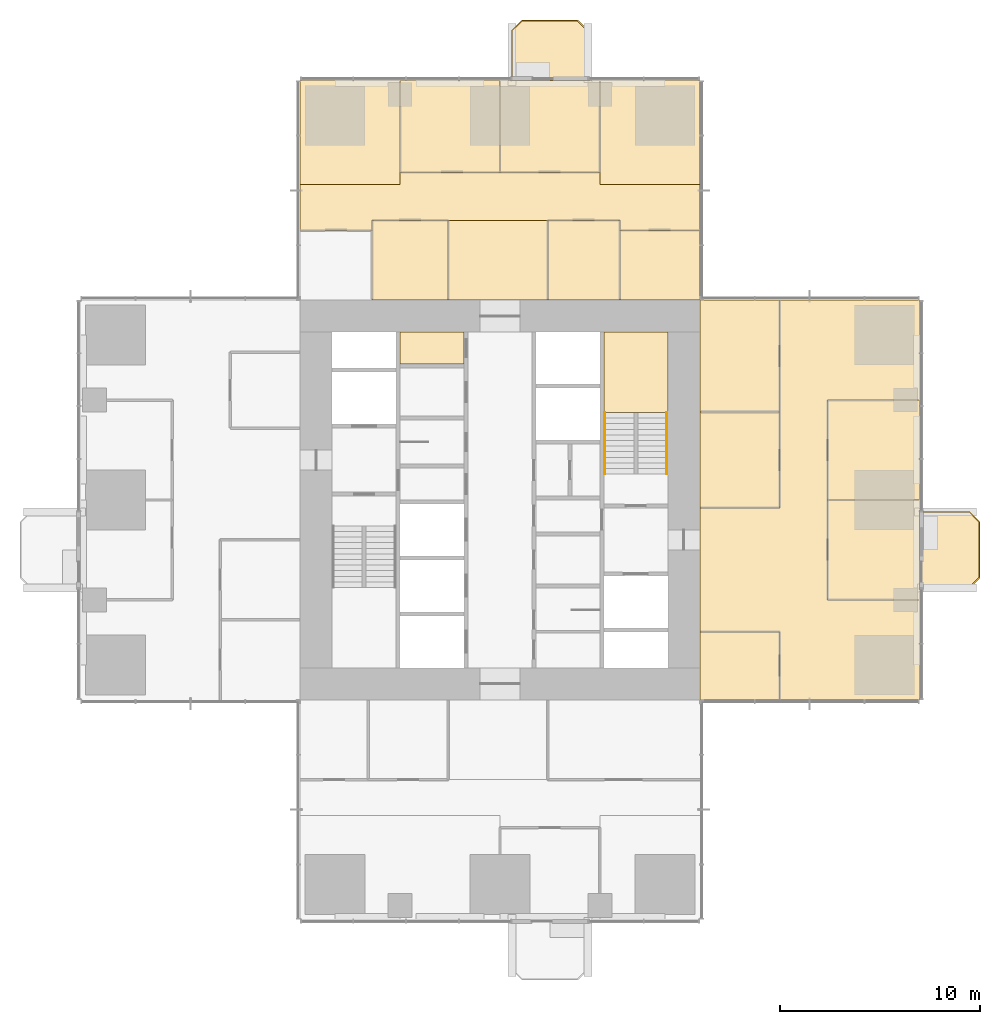
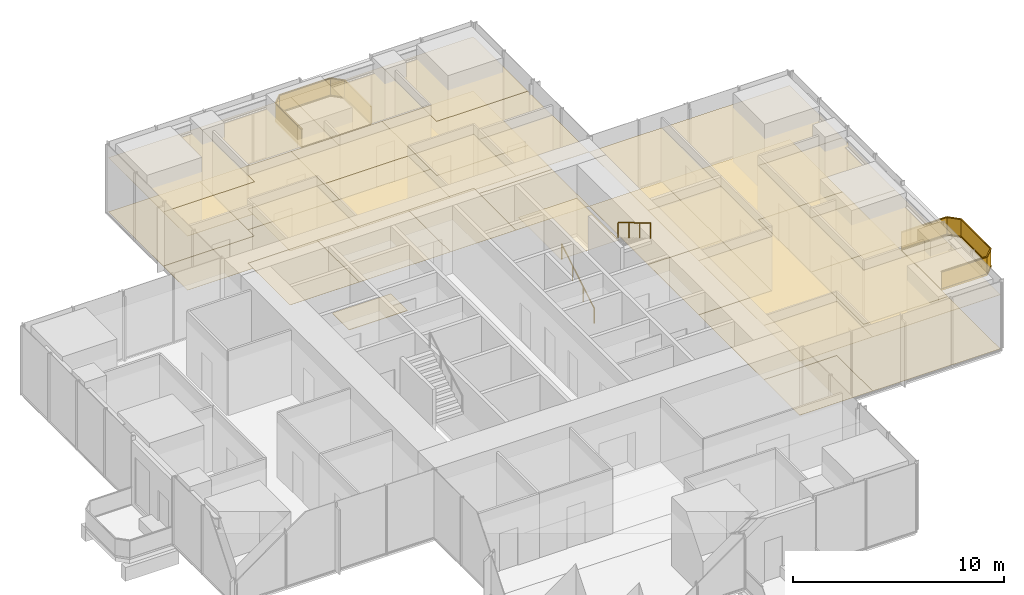
# One storey, part 13 of 14: 34 coverings, 4 railings.
"""IFC4 building model written with IfcOpenShell, lengths in metres."""

from ifc_helpers import new_model, si_unit, direction, frame, origin, origin_2d, place, context, subcontext, project, spatial, polyline, rectangle, circle, outline, extrude, material, layer, layer_set, type_object, element, save


model = new_model("IFC4")

# Units and contexts
model_context = context("Model", 3, precision=1e-05, world=origin(), true_north=direction((0.0, 1.0)))
body_context = subcontext(model_context, "Body", "Model", "MODEL_VIEW")
ifc_project = project(units=[si_unit("LENGTHUNIT", "METRE"), si_unit("AREAUNIT", "SQUARE_METRE"), si_unit("VOLUMEUNIT", "CUBIC_METRE"), si_unit("PLANEANGLEUNIT", "RADIAN"), si_unit("MASSUNIT", "GRAM", prefix="KILO")], contexts=[model_context])

# Site, building, storey
site_placement = place(None, origin())
site = spatial("IfcSite", under=ifc_project, at=site_placement, CompositionType="ELEMENT")
building_placement = place(site_placement, origin())
building = spatial("IfcBuilding", under=site, at=building_placement, Name="Svetlomir Tower", CompositionType="ELEMENT")
storey_placement = place(building_placement, frame((0.0, 0.0, 112.5)))
storey = spatial("IfcBuildingStorey", under=building, at=storey_placement, Name="L26", CompositionType="ELEMENT", Elevation=112.5)

# Railings
ifc_material_1 = material(Name="Bronze anodised aluminium and laminated glass", Category="aluminium")
railing_type_1 = type_object("IfcRailingType", Name="BALCONY GUARD GR1 1100", PredefinedType="GUARDRAIL", material=ifc_material_1)
railing_1_placement = place(storey_placement, frame((42.0, 16.60009765625, 0.0)))
element("IfcRailing", 1, at=railing_1_placement, inside=storey, type_object=railing_type_1, Name="Balcony guard E L26", PredefinedType="GUARDRAIL", context=body_context, shape_type="SweptSolid", body=[
    extrude(rectangle(XDim=0.06005859375, YDim=0.10009765625, at=origin_2d()), frame((0.0, 0.0, 0.050048828125), z_axis=(1.0, 0.0, 0.0), x_axis=(0.0, 1.0, 0.0)), (0.0, 0.0, 1.0), 2.5),
    extrude(rectangle(XDim=0.021484375, YDim=0.960205078125, at=origin_2d()), frame((0.0, 0.0, 0.580078125), z_axis=(1.0, 0.0, 0.0), x_axis=(0.0, 1.0, 0.0)), (0.0, 0.0, 1.0), 2.5),
    extrude(rectangle(XDim=0.06005859375, YDim=0.0400390625, at=origin_2d()), frame((0.0, 0.0, 1.080078125), z_axis=(1.0, 0.0, 0.0), x_axis=(0.0, 1.0, 0.0)), (0.0, 0.0, 1.0), 2.5),
    extrude(rectangle(XDim=0.06005859375, YDim=0.10009765625, at=origin_2d()), frame((2.5, 0.0, 0.050048828125), z_axis=(0.707106781187, 0.707106781187, 0.0), x_axis=(-0.707106781187, 0.707106781187, 0.0)), (0.0, 0.0, 1.0), 0.70703125),
    extrude(rectangle(XDim=0.021484375, YDim=0.960205078125, at=origin_2d()), frame((2.5, 0.0, 0.580078125), z_axis=(0.707106781187, 0.707106781187, 0.0), x_axis=(-0.707106781187, 0.707106781187, 0.0)), (0.0, 0.0, 1.0), 0.70703125),
    extrude(rectangle(XDim=0.06005859375, YDim=0.0400390625, at=origin_2d()), frame((2.5, 0.0, 1.080078125), z_axis=(0.707106781187, 0.707106781187, 0.0), x_axis=(-0.707106781187, 0.707106781187, 0.0)), (0.0, 0.0, 1.0), 0.70703125),
    extrude(rectangle(XDim=0.06005859375, YDim=0.10009765625, at=origin_2d()), frame((3.0, 0.5, 0.050048828125), z_axis=(0.0, 1.0, 0.0), x_axis=(-1.0, 0.0, 0.0)), (0.0, 0.0, 1.0), 2.7998046875),
    extrude(rectangle(XDim=0.021484375, YDim=0.960205078125, at=origin_2d()), frame((3.0, 0.5, 0.580078125), z_axis=(0.0, 1.0, 0.0), x_axis=(-1.0, 0.0, 0.0)), (0.0, 0.0, 1.0), 2.7998046875),
    extrude(rectangle(XDim=0.06005859375, YDim=0.0400390625, at=origin_2d()), frame((3.0, 0.5, 1.080078125), z_axis=(0.0, 1.0, 0.0), x_axis=(-1.0, 0.0, 0.0)), (0.0, 0.0, 1.0), 2.7998046875),
    extrude(rectangle(XDim=0.06005859375, YDim=0.10009765625, at=origin_2d()), frame((3.0, 3.2998046875, 0.050048828125), z_axis=(-0.707106781187, 0.707106781187, 0.0), x_axis=(-0.707106781187, -0.707106781187, 0.0)), (0.0, 0.0, 1.0), 0.70703125),
    extrude(rectangle(XDim=0.021484375, YDim=0.960205078125, at=origin_2d()), frame((3.0, 3.2998046875, 0.580078125), z_axis=(-0.707106781187, 0.707106781187, 0.0), x_axis=(-0.707106781187, -0.707106781187, 0.0)), (0.0, 0.0, 1.0), 0.70703125),
    extrude(rectangle(XDim=0.06005859375, YDim=0.0400390625, at=origin_2d()), frame((3.0, 3.2998046875, 1.080078125), z_axis=(-0.707106781187, 0.707106781187, 0.0), x_axis=(-0.707106781187, -0.707106781187, 0.0)), (0.0, 0.0, 1.0), 0.70703125),
    extrude(rectangle(XDim=0.06005859375, YDim=0.10009765625, at=origin_2d()), frame((2.5, 3.7998046875, 0.050048828125), z_axis=(-1.0, 0.0, 0.0), x_axis=(0.0, -1.0, 0.0)), (0.0, 0.0, 1.0), 2.5),
    extrude(rectangle(XDim=0.021484375, YDim=0.960205078125, at=origin_2d()), frame((2.5, 3.7998046875, 0.580078125), z_axis=(-1.0, 0.0, 0.0), x_axis=(0.0, -1.0, 0.0)), (0.0, 0.0, 1.0), 2.5),
    extrude(rectangle(XDim=0.06005859375, YDim=0.0400390625, at=origin_2d()), frame((2.5, 3.7998046875, 1.080078125), z_axis=(-1.0, 0.0, 0.0), x_axis=(0.0, -1.0, 0.0)), (0.0, 0.0, 1.0), 2.5),
])
railing_2_placement = place(storey_placement, frame((25.39990234375, 42.0, 0.0)))
element("IfcRailing", 2, at=railing_2_placement, inside=storey, type_object=railing_type_1, Name="Balcony guard N L26", PredefinedType="GUARDRAIL", context=body_context, shape_type="SweptSolid", body=[
    extrude(rectangle(XDim=0.06005859375, YDim=0.10009765625, at=origin_2d()), frame((0.0, 0.0, 0.050048828125), z_axis=(0.0, 1.0, 0.0), x_axis=(-1.0, 0.0, 0.0)), (0.0, 0.0, 1.0), 2.5),
    extrude(rectangle(XDim=0.021484375, YDim=0.960205078125, at=origin_2d()), frame((0.0, 0.0, 0.580078125), z_axis=(0.0, 1.0, 0.0), x_axis=(-1.0, 0.0, 0.0)), (0.0, 0.0, 1.0), 2.5),
    extrude(rectangle(XDim=0.06005859375, YDim=0.0400390625, at=origin_2d()), frame((0.0, 0.0, 1.080078125), z_axis=(0.0, 1.0, 0.0), x_axis=(-1.0, 0.0, 0.0)), (0.0, 0.0, 1.0), 2.5),
    extrude(rectangle(XDim=0.06005859375, YDim=0.10009765625, at=origin_2d()), frame((0.0, 2.5, 0.050048828125), z_axis=(-0.707106781187, 0.707106781187, 0.0), x_axis=(-0.707106781187, -0.707106781187, 0.0)), (0.0, 0.0, 1.0), 0.70703125),
    extrude(rectangle(XDim=0.021484375, YDim=0.960205078125, at=origin_2d()), frame((0.0, 2.5, 0.580078125), z_axis=(-0.707106781187, 0.707106781187, 0.0), x_axis=(-0.707106781187, -0.707106781187, 0.0)), (0.0, 0.0, 1.0), 0.70703125),
    extrude(rectangle(XDim=0.06005859375, YDim=0.0400390625, at=origin_2d()), frame((0.0, 2.5, 1.080078125), z_axis=(-0.707106781187, 0.707106781187, 0.0), x_axis=(-0.707106781187, -0.707106781187, 0.0)), (0.0, 0.0, 1.0), 0.70703125),
    extrude(rectangle(XDim=0.06005859375, YDim=0.10009765625, at=origin_2d()), frame((-0.5, 3.0, 0.050048828125), z_axis=(-1.0, 0.0, 0.0), x_axis=(0.0, -1.0, 0.0)), (0.0, 0.0, 1.0), 2.7998046875),
    extrude(rectangle(XDim=0.021484375, YDim=0.960205078125, at=origin_2d()), frame((-0.5, 3.0, 0.580078125), z_axis=(-1.0, 0.0, 0.0), x_axis=(0.0, -1.0, 0.0)), (0.0, 0.0, 1.0), 2.7998046875),
    extrude(rectangle(XDim=0.06005859375, YDim=0.0400390625, at=origin_2d()), frame((-0.5, 3.0, 1.080078125), z_axis=(-1.0, 0.0, 0.0), x_axis=(0.0, -1.0, 0.0)), (0.0, 0.0, 1.0), 2.7998046875),
    extrude(rectangle(XDim=0.06005859375, YDim=0.10009765625, at=origin_2d()), frame((-3.2998046875, 3.0, 0.050048828125), z_axis=(-0.707106781187, -0.707106781187, 0.0), x_axis=(0.707106781187, -0.707106781187, 0.0)), (0.0, 0.0, 1.0), 0.70703125),
    extrude(rectangle(XDim=0.021484375, YDim=0.960205078125, at=origin_2d()), frame((-3.2998046875, 3.0, 0.580078125), z_axis=(-0.707106781187, -0.707106781187, 0.0), x_axis=(0.707106781187, -0.707106781187, 0.0)), (0.0, 0.0, 1.0), 0.70703125),
    extrude(rectangle(XDim=0.06005859375, YDim=0.0400390625, at=origin_2d()), frame((-3.2998046875, 3.0, 1.080078125), z_axis=(-0.707106781187, -0.707106781187, 0.0), x_axis=(0.707106781187, -0.707106781187, 0.0)), (0.0, 0.0, 1.0), 0.70703125),
    extrude(rectangle(XDim=0.06005859375, YDim=0.10009765625, at=origin_2d()), frame((-3.7998046875, 2.5, 0.050048828125), z_axis=(0.0, -1.0, 0.0), x_axis=(1.0, 0.0, 0.0)), (0.0, 0.0, 1.0), 2.5),
    extrude(rectangle(XDim=0.021484375, YDim=0.960205078125, at=origin_2d()), frame((-3.7998046875, 2.5, 0.580078125), z_axis=(0.0, -1.0, 0.0), x_axis=(1.0, 0.0, 0.0)), (0.0, 0.0, 1.0), 2.5),
    extrude(rectangle(XDim=0.06005859375, YDim=0.0400390625, at=origin_2d()), frame((-3.7998046875, 2.5, 1.080078125), z_axis=(0.0, -1.0, 0.0), x_axis=(1.0, 0.0, 0.0)), (0.0, 0.0, 1.0), 2.5),
])

# Coverings
ifc_material_2 = material(Name="Granite paving slabs on pedestals", Category="masonry")
ifc_layer_1 = layer(ifc_material_2, 0.0400390625)
ifc_layer_set_1 = layer_set([ifc_layer_1], Name="Granite paving slabs on pedestals")
covering_type_1 = type_object("IfcCoveringType", Name="BALCONY PAVING 40", PredefinedType="USERDEFINED", material=ifc_layer_set_1)
covering_1_placement = place(storey_placement, origin())
element("IfcCovering", 3, at=covering_1_placement, inside=storey, type_object=covering_type_1, Name="Balcony paving E L26", ObjectType="BALCONY PAVING", PredefinedType="USERDEFINED", context=body_context, shape_type="SweptSolid", body=[
    extrude(outline(polyline([(42.0, 16.60009765625), (44.5, 16.60009765625), (45.0, 17.10009765625), (45.0, 19.89990234375), (44.5, 20.39990234375), (42.0, 20.39990234375), (42.0, 16.60009765625)])), origin(), (0.0, 0.0, 1.0), 0.0400390625),
])
covering_2_placement = place(storey_placement, origin())
element("IfcCovering", 4, at=covering_2_placement, inside=storey, type_object=covering_type_1, Name="Balcony paving N L26", ObjectType="BALCONY PAVING", PredefinedType="USERDEFINED", context=body_context, shape_type="SweptSolid", body=[
    extrude(outline(polyline([(21.60009765625, 42.0), (25.39990234375, 42.0), (25.39990234375, 44.5), (24.89990234375, 45.0), (22.10009765625, 45.0), (21.60009765625, 44.5), (21.60009765625, 42.0)])), origin(), (0.0, 0.0, 1.0), 0.0400390625),
])
ifc_material_3 = material(Name="Carpet tile", Category="textile")
ifc_layer_2 = layer(ifc_material_3, 0.010009765625)
ifc_layer_set_2 = layer_set([ifc_layer_2], Name="Carpet tile")
covering_type_2 = type_object("IfcCoveringType", Name="CARPET TILE FLOOR 10", PredefinedType="FLOORING", material=ifc_layer_set_2)
covering_3_placement = place(storey_placement, origin())
element("IfcCovering", 5, at=covering_3_placement, inside=storey, type_object=covering_type_2, Name="Floor finish L26-20", PredefinedType="FLOORING", context=body_context, shape_type="SweptSolid", body=[
    extrude(outline(polyline([(31.0, 11.0), (35.0, 11.0), (35.0, 14.39990234375), (31.0, 14.39990234375), (31.0, 11.0)])), origin(), (0.0, 0.0, 1.0), 0.010009765625),
])
covering_4_placement = place(storey_placement, origin())
element("IfcCovering", 6, at=covering_4_placement, inside=storey, type_object=covering_type_2, Name="Floor finish L26-21", PredefinedType="FLOORING", context=body_context, shape_type="SweptSolid", body=[
    extrude(outline(polyline([(31.0, 20.60009765625), (35.0, 20.60009765625), (35.0, 25.39990234375), (31.0, 25.39990234375), (31.0, 20.60009765625)])), origin(), (0.0, 0.0, 1.0), 0.010009765625),
])
covering_5_placement = place(storey_placement, origin())
element("IfcCovering", 7, at=covering_5_placement, inside=storey, type_object=covering_type_2, Name="Floor finish L26-22", PredefinedType="FLOORING", context=body_context, shape_type="SweptSolid", body=[
    extrude(outline(polyline([(31.0, 25.39990234375), (35.0, 25.39990234375), (35.0, 31.0), (31.0, 31.0), (31.0, 25.39990234375)])), origin(), (0.0, 0.0, 1.0), 0.010009765625),
])
covering_6_placement = place(storey_placement, origin())
element("IfcCovering", 8, at=covering_6_placement, inside=storey, type_object=covering_type_2, Name="Floor finish L26-23", PredefinedType="FLOORING", context=body_context, shape_type="SweptSolid", body=[
    extrude(outline(polyline([(37.39990234375, 16.0), (42.0, 16.0), (42.0, 21.0), (37.39990234375, 21.0), (37.39990234375, 16.0)])), origin(), (0.0, 0.0, 1.0), 0.010009765625),
])
covering_7_placement = place(storey_placement, origin())
element("IfcCovering", 9, at=covering_7_placement, inside=storey, type_object=covering_type_2, Name="Floor finish L26-24", PredefinedType="FLOORING", context=body_context, shape_type="SweptSolid", body=[
    extrude(outline(polyline([(37.39990234375, 21.0), (42.0, 21.0), (42.0, 26.0), (37.39990234375, 26.0), (37.39990234375, 21.0)])), origin(), (0.0, 0.0, 1.0), 0.010009765625),
])
covering_8_placement = place(storey_placement, origin())
element("IfcCovering", 10, at=covering_8_placement, inside=storey, type_object=covering_type_2, Name="Floor finish L26-26", PredefinedType="FLOORING", context=body_context, shape_type="SweptSolid", body=[
    extrude(outline(polyline([(14.60009765625, 31.0), (18.39990234375, 31.0), (18.39990234375, 35.0), (14.60009765625, 35.0), (14.60009765625, 31.0)])), origin(), (0.0, 0.0, 1.0), 0.010009765625),
])
covering_9_placement = place(storey_placement, origin())
element("IfcCovering", 11, at=covering_9_placement, inside=storey, type_object=covering_type_2, Name="Floor finish L26-27", PredefinedType="FLOORING", context=body_context, shape_type="SweptSolid", body=[
    extrude(outline(polyline([(23.39990234375, 31.0), (27.0, 31.0), (27.0, 35.0), (23.39990234375, 35.0), (23.39990234375, 31.0)])), origin(), (0.0, 0.0, 1.0), 0.010009765625),
])
covering_10_placement = place(storey_placement, origin())
element("IfcCovering", 12, at=covering_10_placement, inside=storey, type_object=covering_type_2, Name="Floor finish L26-28", PredefinedType="FLOORING", context=body_context, shape_type="SweptSolid", body=[
    extrude(outline(polyline([(27.0, 31.0), (31.0, 31.0), (31.0, 34.5), (27.0, 34.5), (27.0, 31.0)])), origin(), (0.0, 0.0, 1.0), 0.010009765625),
])
covering_11_placement = place(storey_placement, origin())
element("IfcCovering", 13, at=covering_11_placement, inside=storey, type_object=covering_type_2, Name="Floor finish L26-29", PredefinedType="FLOORING", context=body_context, shape_type="SweptSolid", body=[
    extrude(outline(polyline([(16.0, 37.39990234375), (21.0, 37.39990234375), (21.0, 42.0), (16.0, 42.0), (16.0, 37.39990234375)])), origin(), (0.0, 0.0, 1.0), 0.010009765625),
])
covering_12_placement = place(storey_placement, origin())
element("IfcCovering", 14, at=covering_12_placement, inside=storey, type_object=covering_type_2, Name="Floor finish L26-30", PredefinedType="FLOORING", context=body_context, shape_type="SweptSolid", body=[
    extrude(outline(polyline([(21.0, 37.39990234375), (26.0, 37.39990234375), (26.0, 42.0), (21.0, 42.0), (21.0, 37.39990234375)])), origin(), (0.0, 0.0, 1.0), 0.010009765625),
])
covering_13_placement = place(storey_placement, origin())
element("IfcCovering", 15, at=covering_13_placement, inside=storey, type_object=covering_type_2, Name="Floor finish L26-37", PredefinedType="FLOORING", context=body_context, shape_type="SweptSolid", body=[
    extrude(outline(polyline([(14.60009765625, 34.5), (11.0, 34.5), (11.0, 36.800048828125), (16.0, 36.800048828125), (16.0, 37.39990234375), (26.0, 37.39990234375), (26.0, 36.800048828125), (31.0, 36.800048828125), (31.0, 34.5), (27.0, 34.5), (27.0, 35.0), (14.60009765625, 35.0), (14.60009765625, 34.5)])), origin(), (0.0, 0.0, 1.0), 0.010009765625),
])
covering_14_placement = place(storey_placement, origin())
element("IfcCovering", 16, at=covering_14_placement, inside=storey, type_object=covering_type_2, Name="Floor finish L26-41", PredefinedType="FLOORING", context=body_context, shape_type="SweptSolid", body=[
    extrude(outline(polyline([(35.0, 14.39990234375), (31.0, 14.39990234375), (31.0, 20.60009765625), (35.0, 20.60009765625), (35.0, 31.0), (42.0, 31.0), (42.0, 26.0), (37.39990234375, 26.0), (37.39990234375, 16.0), (42.0, 16.0), (42.0, 11.0), (35.0, 11.0), (35.0, 14.39990234375)])), origin(), (0.0, 0.0, 1.0), 0.010009765625),
])
covering_15_placement = place(storey_placement, origin())
element("IfcCovering", 17, at=covering_15_placement, inside=storey, type_object=covering_type_2, Name="Floor finish L26-42", PredefinedType="FLOORING", context=body_context, shape_type="SweptSolid", body=[
    extrude(outline(polyline([(26.0, 36.800048828125), (26.0, 42.0), (31.0, 42.0), (31.0, 36.800048828125), (26.0, 36.800048828125)])), origin(), (0.0, 0.0, 1.0), 0.010009765625),
])
covering_16_placement = place(storey_placement, origin())
element("IfcCovering", 18, at=covering_16_placement, inside=storey, type_object=covering_type_2, Name="Floor finish L26-43", PredefinedType="FLOORING", context=body_context, shape_type="SweptSolid", body=[
    extrude(outline(polyline([(18.39990234375, 31.0), (18.39990234375, 35.0), (23.39990234375, 35.0), (23.39990234375, 31.0), (18.39990234375, 31.0)])), origin(), (0.0, 0.0, 1.0), 0.010009765625),
])
covering_17_placement = place(storey_placement, origin())
element("IfcCovering", 19, at=covering_17_placement, inside=storey, type_object=covering_type_2, Name="Floor finish L26-44", PredefinedType="FLOORING", context=body_context, shape_type="SweptSolid", body=[
    extrude(outline(polyline([(16.0, 42.0), (16.0, 36.800048828125), (11.0, 36.800048828125), (11.0, 42.0), (16.0, 42.0)])), origin(), (0.0, 0.0, 1.0), 0.010009765625),
])

# Railings
ifc_material_4 = material(Name="Stainless steel", Category="steel")
railing_type_2 = type_object("IfcRailingType", Name="HANDRAIL HR1 900", PredefinedType="HANDRAIL", material=ifc_material_4)
railing_3_placement = place(storey_placement, frame((26.25, 22.300048828125, 0.166748046875)))
element("IfcRailing", 20, at=railing_3_placement, inside=storey, type_object=railing_type_2, Name="Handrail S2 flight 1 L26", PredefinedType="HANDRAIL", context=body_context, shape_type="SweptSolid", body=[
    extrude(circle(Radius=0.02392578125, at=origin_2d()), frame((0.0, 0.0, 0.8759765625), z_axis=(0.0, 0.859290745958, 0.51148745235), x_axis=(-1.0, 0.0, 0.0)), (0.0, 0.0, 1.0), 3.584228515625),
    extrude(circle(Radius=0.02099609375, at=origin_2d()), origin(), (0.0, 0.0, 1.0), 0.851806640625),
    extrude(circle(Radius=0.02099609375, at=origin_2d()), frame((0.0, 1.026611328125, 0.611083984375)), (0.0, 0.0, 1.0), 0.851806640625),
    extrude(circle(Radius=0.02099609375, at=origin_2d()), frame((0.0, 2.05322265625, 1.22216796875)), (0.0, 0.0, 1.0), 0.851806640625),
    extrude(circle(Radius=0.02099609375, at=origin_2d()), frame((0.0, 3.079833984375, 1.833251953125)), (0.0, 0.0, 1.0), 0.851806640625),
])
railing_4_placement = place(storey_placement, frame((29.35009765625, 25.3798828125, 2.166748046875)))
element("IfcRailing", 21, at=railing_4_placement, inside=storey, type_object=railing_type_2, Name="Handrail S2 flight 2 L26", PredefinedType="HANDRAIL", context=body_context, shape_type="SweptSolid", body=[
    extrude(circle(Radius=0.02392578125, at=origin_2d()), frame((0.0, 0.0, 0.8759765625), z_axis=(0.0, -0.859290745958, 0.51148745235), x_axis=(1.0, 0.0, 0.0)), (0.0, 0.0, 1.0), 3.584228515625),
    extrude(circle(Radius=0.02099609375, at=origin_2d()), origin(), (0.0, 0.0, 1.0), 0.851806640625),
    extrude(circle(Radius=0.02099609375, at=origin_2d()), frame((0.0, -1.026611328125, 0.611083984375)), (0.0, 0.0, 1.0), 0.851806640625),
    extrude(circle(Radius=0.02099609375, at=origin_2d()), frame((0.0, -2.05322265625, 1.22216796875)), (0.0, 0.0, 1.0), 0.851806640625),
    extrude(circle(Radius=0.02099609375, at=origin_2d()), frame((0.0, -3.079833984375, 1.833251953125)), (0.0, 0.0, 1.0), 0.851806640625),
])

# Coverings
ifc_material_5 = material(Name="Studded rubber floor finish", Category="rubber")
ifc_layer_3 = layer(ifc_material_5, 0.006103515625)
ifc_layer_set_3 = layer_set([ifc_layer_3], Name="Studded rubber floor finish")
covering_type_3 = type_object("IfcCoveringType", Name="RUBBER LANDING FINISH 6", PredefinedType="FLOORING", material=ifc_layer_set_3)
covering_18_placement = place(storey_placement, frame((0.0, 0.0, 2.0)))
element("IfcCovering", 22, at=covering_18_placement, inside=storey, type_object=covering_type_3, Name="Stair S2 landing finish L26", PredefinedType="FLOORING", context=body_context, shape_type="SweptSolid", body=[
    extrude(outline(polyline([(26.199951171875, 25.3798828125), (29.39990234375, 25.3798828125), (29.39990234375, 29.39990234375), (26.199951171875, 29.39990234375), (26.199951171875, 25.3798828125)])), origin(), (0.0, 0.0, 1.0), 0.006103515625),
])
ifc_material_6 = material(Name="Mineral fibre ceiling tile", Category="mineral")
ifc_layer_4 = layer(ifc_material_6, 0.02001953125)
ifc_layer_set_4 = layer_set([ifc_layer_4], Name="Mineral fibre ceiling tile")
covering_type_4 = type_object("IfcCoveringType", Name="SUSPENDED CEILING 20", PredefinedType="CEILING", material=ifc_layer_set_4)
covering_19_placement = place(storey_placement, frame((0.0, 0.0, 3.1298828125)))
element("IfcCovering", 23, at=covering_19_placement, inside=storey, type_object=covering_type_4, Name="Ceiling L26-20", PredefinedType="CEILING", context=body_context, shape_type="SweptSolid", body=[
    extrude(outline(polyline([(31.0, 11.0), (35.0, 11.0), (35.0, 14.39990234375), (31.0, 14.39990234375), (31.0, 11.0)])), origin(), (0.0, 0.0, 1.0), 0.02001953125),
])
covering_20_placement = place(storey_placement, frame((0.0, 0.0, 3.1298828125)))
element("IfcCovering", 24, at=covering_20_placement, inside=storey, type_object=covering_type_4, Name="Ceiling L26-21", PredefinedType="CEILING", context=body_context, shape_type="SweptSolid", body=[
    extrude(outline(polyline([(31.0, 20.60009765625), (35.0, 20.60009765625), (35.0, 25.39990234375), (31.0, 25.39990234375), (31.0, 20.60009765625)])), origin(), (0.0, 0.0, 1.0), 0.02001953125),
])
covering_21_placement = place(storey_placement, frame((0.0, 0.0, 3.1298828125)))
element("IfcCovering", 25, at=covering_21_placement, inside=storey, type_object=covering_type_4, Name="Ceiling L26-22", PredefinedType="CEILING", context=body_context, shape_type="SweptSolid", body=[
    extrude(outline(polyline([(31.0, 25.39990234375), (35.0, 25.39990234375), (35.0, 31.0), (31.0, 31.0), (31.0, 25.39990234375)])), origin(), (0.0, 0.0, 1.0), 0.02001953125),
])
covering_22_placement = place(storey_placement, frame((0.0, 0.0, 3.1298828125)))
element("IfcCovering", 26, at=covering_22_placement, inside=storey, type_object=covering_type_4, Name="Ceiling L26-23", PredefinedType="CEILING", context=body_context, shape_type="SweptSolid", body=[
    extrude(outline(polyline([(37.39990234375, 16.0), (42.0, 16.0), (42.0, 21.0), (37.39990234375, 21.0), (37.39990234375, 16.0)])), origin(), (0.0, 0.0, 1.0), 0.02001953125),
])
covering_23_placement = place(storey_placement, frame((0.0, 0.0, 3.1298828125)))
element("IfcCovering", 27, at=covering_23_placement, inside=storey, type_object=covering_type_4, Name="Ceiling L26-24", PredefinedType="CEILING", context=body_context, shape_type="SweptSolid", body=[
    extrude(outline(polyline([(37.39990234375, 21.0), (42.0, 21.0), (42.0, 26.0), (37.39990234375, 26.0), (37.39990234375, 21.0)])), origin(), (0.0, 0.0, 1.0), 0.02001953125),
])
covering_24_placement = place(storey_placement, frame((0.0, 0.0, 3.1298828125)))
element("IfcCovering", 28, at=covering_24_placement, inside=storey, type_object=covering_type_4, Name="Ceiling L26-26", PredefinedType="CEILING", context=body_context, shape_type="SweptSolid", body=[
    extrude(outline(polyline([(14.60009765625, 31.0), (18.39990234375, 31.0), (18.39990234375, 35.0), (14.60009765625, 35.0), (14.60009765625, 31.0)])), origin(), (0.0, 0.0, 1.0), 0.02001953125),
])
covering_25_placement = place(storey_placement, frame((0.0, 0.0, 3.1298828125)))
element("IfcCovering", 29, at=covering_25_placement, inside=storey, type_object=covering_type_4, Name="Ceiling L26-27", PredefinedType="CEILING", context=body_context, shape_type="SweptSolid", body=[
    extrude(outline(polyline([(23.39990234375, 31.0), (27.0, 31.0), (27.0, 35.0), (23.39990234375, 35.0), (23.39990234375, 31.0)])), origin(), (0.0, 0.0, 1.0), 0.02001953125),
])
covering_26_placement = place(storey_placement, frame((0.0, 0.0, 3.1298828125)))
element("IfcCovering", 30, at=covering_26_placement, inside=storey, type_object=covering_type_4, Name="Ceiling L26-28", PredefinedType="CEILING", context=body_context, shape_type="SweptSolid", body=[
    extrude(outline(polyline([(27.0, 31.0), (31.0, 31.0), (31.0, 34.5), (27.0, 34.5), (27.0, 31.0)])), origin(), (0.0, 0.0, 1.0), 0.02001953125),
])
covering_27_placement = place(storey_placement, frame((0.0, 0.0, 3.1298828125)))
element("IfcCovering", 31, at=covering_27_placement, inside=storey, type_object=covering_type_4, Name="Ceiling L26-29", PredefinedType="CEILING", context=body_context, shape_type="SweptSolid", body=[
    extrude(outline(polyline([(16.0, 37.39990234375), (21.0, 37.39990234375), (21.0, 42.0), (16.0, 42.0), (16.0, 37.39990234375)])), origin(), (0.0, 0.0, 1.0), 0.02001953125),
])
covering_28_placement = place(storey_placement, frame((0.0, 0.0, 3.1298828125)))
element("IfcCovering", 32, at=covering_28_placement, inside=storey, type_object=covering_type_4, Name="Ceiling L26-30", PredefinedType="CEILING", context=body_context, shape_type="SweptSolid", body=[
    extrude(outline(polyline([(21.0, 37.39990234375), (26.0, 37.39990234375), (26.0, 42.0), (21.0, 42.0), (21.0, 37.39990234375)])), origin(), (0.0, 0.0, 1.0), 0.02001953125),
])
covering_29_placement = place(storey_placement, frame((0.0, 0.0, 3.1298828125)))
element("IfcCovering", 33, at=covering_29_placement, inside=storey, type_object=covering_type_4, Name="Ceiling L26-37", PredefinedType="CEILING", context=body_context, shape_type="SweptSolid", body=[
    extrude(outline(polyline([(14.60009765625, 34.5), (11.0, 34.5), (11.0, 36.800048828125), (16.0, 36.800048828125), (16.0, 37.39990234375), (26.0, 37.39990234375), (26.0, 36.800048828125), (31.0, 36.800048828125), (31.0, 34.5), (27.0, 34.5), (27.0, 35.0), (14.60009765625, 35.0), (14.60009765625, 34.5)])), origin(), (0.0, 0.0, 1.0), 0.02001953125),
])
covering_30_placement = place(storey_placement, frame((0.0, 0.0, 3.1298828125)))
element("IfcCovering", 34, at=covering_30_placement, inside=storey, type_object=covering_type_4, Name="Ceiling L26-41", PredefinedType="CEILING", context=body_context, shape_type="SweptSolid", body=[
    extrude(outline(polyline([(35.0, 14.39990234375), (31.0, 14.39990234375), (31.0, 20.60009765625), (35.0, 20.60009765625), (35.0, 31.0), (42.0, 31.0), (42.0, 26.0), (37.39990234375, 26.0), (37.39990234375, 16.0), (42.0, 16.0), (42.0, 11.0), (35.0, 11.0), (35.0, 14.39990234375)])), origin(), (0.0, 0.0, 1.0), 0.02001953125),
])
covering_31_placement = place(storey_placement, frame((0.0, 0.0, 3.1298828125)))
element("IfcCovering", 35, at=covering_31_placement, inside=storey, type_object=covering_type_4, Name="Ceiling L26-42", PredefinedType="CEILING", context=body_context, shape_type="SweptSolid", body=[
    extrude(outline(polyline([(26.0, 36.800048828125), (26.0, 42.0), (31.0, 42.0), (31.0, 36.800048828125), (26.0, 36.800048828125)])), origin(), (0.0, 0.0, 1.0), 0.02001953125),
])
covering_32_placement = place(storey_placement, frame((0.0, 0.0, 3.1298828125)))
element("IfcCovering", 36, at=covering_32_placement, inside=storey, type_object=covering_type_4, Name="Ceiling L26-43", PredefinedType="CEILING", context=body_context, shape_type="SweptSolid", body=[
    extrude(outline(polyline([(18.39990234375, 31.0), (18.39990234375, 35.0), (23.39990234375, 35.0), (23.39990234375, 31.0), (18.39990234375, 31.0)])), origin(), (0.0, 0.0, 1.0), 0.02001953125),
])
covering_33_placement = place(storey_placement, frame((0.0, 0.0, 3.1298828125)))
element("IfcCovering", 37, at=covering_33_placement, inside=storey, type_object=covering_type_4, Name="Ceiling L26-44", PredefinedType="CEILING", context=body_context, shape_type="SweptSolid", body=[
    extrude(outline(polyline([(16.0, 42.0), (16.0, 36.800048828125), (11.0, 36.800048828125), (11.0, 42.0), (16.0, 42.0)])), origin(), (0.0, 0.0, 1.0), 0.02001953125),
])
ifc_material_7 = material(Name="Bronze-aggregate terrazzo", Category="stone")
ifc_layer_5 = layer(ifc_material_7, 0.030029296875)
ifc_layer_set_5 = layer_set([ifc_layer_5], Name="Bronze-aggregate terrazzo")
covering_type_5 = type_object("IfcCoveringType", Name="TERRAZZO FLOOR 30", PredefinedType="FLOORING", material=ifc_layer_set_5)
covering_34_placement = place(storey_placement, origin())
element("IfcCovering", 38, at=covering_34_placement, inside=storey, type_object=covering_type_5, Name="Floor finish L26-06", PredefinedType="FLOORING", context=body_context, shape_type="SweptSolid", body=[
    extrude(outline(polyline([(16.0, 27.800048828125), (19.199951171875, 27.800048828125), (19.199951171875, 29.39990234375), (16.0, 29.39990234375), (16.0, 27.800048828125)])), origin(), (0.0, 0.0, 1.0), 0.030029296875),
])

save(model, "model.ifc")
